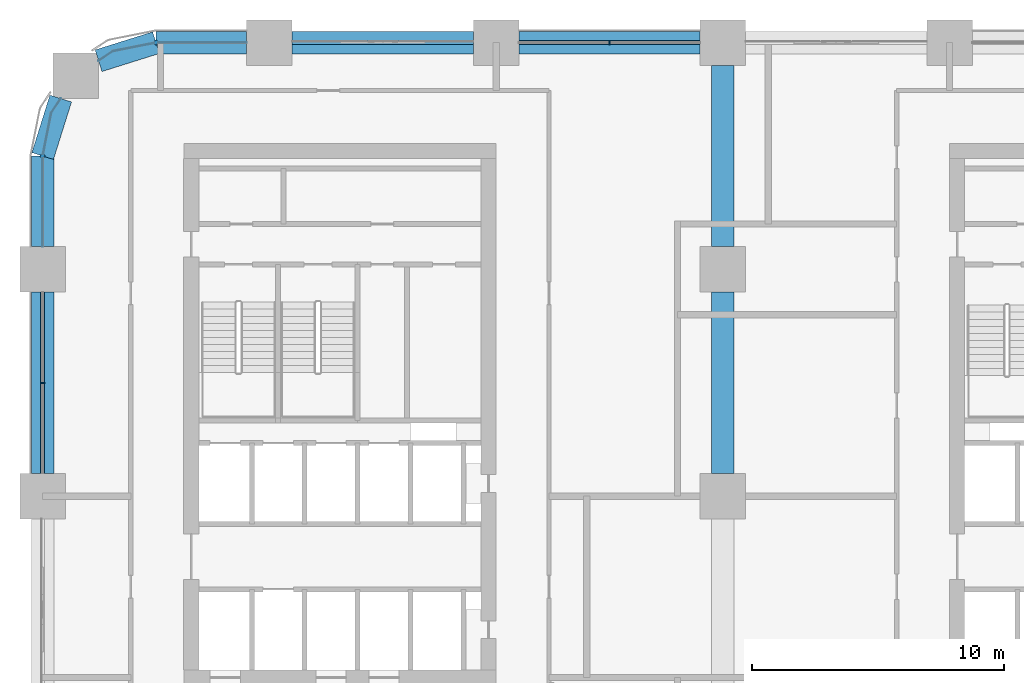
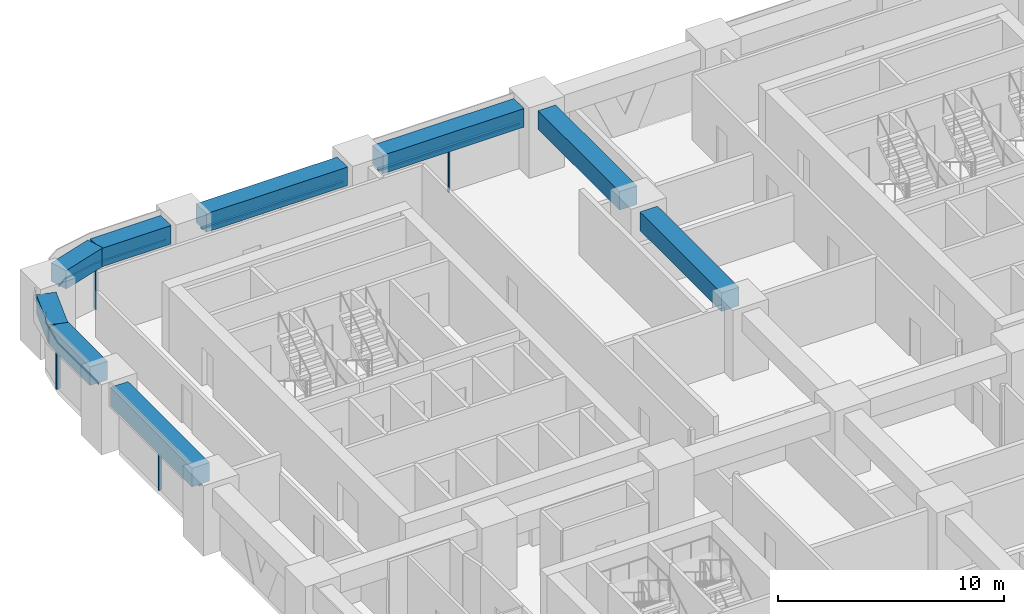
# One storey, part 8 of 21: 9 beams, 9 members, 5 elements without a shape of their own.
"""IFC4 building model written with IfcOpenShell, lengths in metres."""

import ifcopenshell
import ifcopenshell.guid

model = None  # the IFC model being written
_history = None  # IfcOwnerHistory: only IFC2X3 demands one
_inside = {}  # id of a spatial element -> (the spatial element, [elements in it])
_under = {}  # id of a project, library or spatial element -> (it, [spatial elements below it])
_declared = {}  # id of a project -> (the project, [libraries it declares])
_typed = {}  # id of a type object -> (the type object, [elements of that type])
_made_of = {}  # id of a material, layer set ... -> (it, [elements and type objects made of it])


def new_model(schema):
    """Start an empty IFC model of exactly this schema.

    Asked for "IFC4X3", IfcOpenShell would pick the latest addendum, in which some entities
    have other attributes; the version numbers below select the first issue.
    IFC2X3 requires an IfcOwnerHistory on every rooted entity: one is made here for all.
    """
    global model, _history
    if schema == "IFC4X3":
        model = ifcopenshell.file(schema_version=(4, 3, 0, 0))
    else:
        model = ifcopenshell.file(schema=schema)
    _inside.clear()
    _under.clear()
    _declared.clear()
    _typed.clear()
    _made_of.clear()
    _history = None
    if model.schema == "IFC2X3":
        org = make("IfcOrganization", Name="unknown")
        user = make(
            "IfcPersonAndOrganization",
            ThePerson=make("IfcPerson", FamilyName="unknown"),
            TheOrganization=org,
        )
        app = make(
            "IfcApplication",
            ApplicationDeveloper=org,
            Version="unknown",
            ApplicationFullName="unknown",
            ApplicationIdentifier="unknown",
        )
        _history = make(
            "IfcOwnerHistory",
            OwningUser=user,
            OwningApplication=app,
            ChangeAction="ADDED",
            CreationDate=0,
        )
    return model


def make(cls, **values):
    """One entity of the class cls with the attributes given. An attribute that is None is left unset."""
    return model.create_entity(
        cls, **{name: value for name, value in values.items() if value is not None}
    )


def rooted(cls, **values):
    """An entity with a GlobalId (a new one), such as an element, a storey or a relation."""
    return make(cls, GlobalId=ifcopenshell.guid.new(), OwnerHistory=_history, **values)


def si_unit(unit_type, name, prefix=None):
    """IfcSIUnit, for example si_unit("LENGTHUNIT", "METRE", prefix="MILLI")."""
    return make("IfcSIUnit", UnitType=unit_type, Prefix=prefix, Name=name)


def assignment(units):
    """IfcUnitAssignment: the units of a project."""
    return None if units is None else make("IfcUnitAssignment", Units=units)


def point(xyz):
    """IfcCartesianPoint."""
    return None if xyz is None else make("IfcCartesianPoint", Coordinates=xyz)


def direction(xyz):
    """IfcDirection."""
    return None if xyz is None else make("IfcDirection", DirectionRatios=xyz)


def frame(location, z_axis=None, x_axis=None):
    """IfcAxis2Placement3D, a coordinate frame: its origin and axes. An axis left out is left unset."""
    return make(
        "IfcAxis2Placement3D",
        Location=point(location),
        Axis=direction(z_axis),
        RefDirection=direction(x_axis),
    )


def frame_2d(location, x_axis=None):
    """IfcAxis2Placement2D, a coordinate frame in the plane: its origin and x axis."""
    return make(
        "IfcAxis2Placement2D", Location=point(location), RefDirection=direction(x_axis)
    )


def origin():
    """The frame at (0, 0, 0) with its axes left unset."""
    return frame((0.0, 0.0, 0.0))


def origin_2d():
    """The frame at (0, 0) in the plane with its x axis left unset."""
    return frame_2d((0.0, 0.0))


def place(relative_to, where):
    """IfcLocalPlacement: puts the frame where relative to a parent placement (None: the world)."""
    return make(
        "IfcLocalPlacement", PlacementRelTo=relative_to, RelativePlacement=where
    )


def context(
    kind, dimensions, precision=None, world=None, true_north=None, identifier=None
):
    """IfcGeometricRepresentationContext, for example the 3D "Model" context."""
    return make(
        "IfcGeometricRepresentationContext",
        ContextIdentifier=identifier,
        ContextType=kind,
        CoordinateSpaceDimension=dimensions,
        Precision=precision,
        WorldCoordinateSystem=world,
        TrueNorth=true_north,
    )


def subcontext(parent, identifier, kind, view, scale=None):
    """IfcGeometricRepresentationSubContext, for example "Body" below "Model"."""
    return make(
        "IfcGeometricRepresentationSubContext",
        ContextIdentifier=identifier,
        ContextType=kind,
        ParentContext=parent,
        TargetScale=scale,
        TargetView=view,
    )


def project(units=None, contexts=None):
    """IfcProject with its units and contexts."""
    return rooted(
        "IfcProject",
        Name="project",
        RepresentationContexts=contexts,
        UnitsInContext=assignment(units),
    )


def spatial(cls, under=None, at=None, **own):
    """A site, building, storey or space (cls), placed at a placement, below another one or the project."""
    s = rooted(cls, ObjectPlacement=at, **own)
    if under is not None:
        _under.setdefault(under.id(), (under, []))[1].append(s)
    return s


def polyline(points):
    """IfcPolyline through the points."""
    return make("IfcPolyline", Points=[point(p) for p in points])


def profile(cls, at=None, kind="AREA", **sizes):
    """A parametric profile (cls). Its sizes go by their IFC names, for example OverallWidth=200.0."""
    return make(cls, ProfileType=kind, Position=at, **sizes)


def rectangle(**sizes):
    """IfcRectangleProfileDef."""
    return profile("IfcRectangleProfileDef", **sizes)


def outline(outer, holes=None, kind="AREA"):
    """IfcArbitraryClosedProfileDef: a profile drawn as a closed curve; with holes, ...WithVoids."""
    if holes is None:
        return make("IfcArbitraryClosedProfileDef", ProfileType=kind, OuterCurve=outer)
    return make(
        "IfcArbitraryProfileDefWithVoids",
        ProfileType=kind,
        OuterCurve=outer,
        InnerCurves=holes,
    )


def extrude(swept, where, along, depth):
    """IfcExtrudedAreaSolid: the profile swept, set in the frame where, extruded along a direction by depth."""
    return make(
        "IfcExtrudedAreaSolid",
        SweptArea=swept,
        Position=where,
        ExtrudedDirection=direction(along),
        Depth=depth,
    )


def shape(context_of_items, identifier, shape_type, items):
    """IfcShapeRepresentation: the items that make up one representation, for example the "Body"."""
    return make(
        "IfcShapeRepresentation",
        ContextOfItems=context_of_items,
        RepresentationIdentifier=identifier,
        RepresentationType=shape_type,
        Items=items,
    )


def material(Name=None, Category=None):
    """IfcMaterial."""
    return make("IfcMaterial", Name=Name, Category=Category)


def material_profile(
    of_material, cross_section, Name=None, Category=None, Priority=None
):
    """IfcMaterialProfile: a cross section and its material."""
    return make(
        "IfcMaterialProfile",
        Name=Name,
        Material=of_material,
        Profile=cross_section,
        Priority=Priority,
        Category=Category,
    )


def profile_set(profiles, Name=None, composite=None):
    """IfcMaterialProfileSet."""
    return make(
        "IfcMaterialProfileSet",
        Name=Name,
        MaterialProfiles=profiles,
        CompositeProfile=composite,
    )


def made_of(thing, what):
    """Note that an element or type object is made of a material, layer set ...; save() writes the relation."""
    if what is not None:
        _made_of.setdefault(what.id(), (what, []))[1].append(thing)
    return thing


def type_object(cls, material=None, **own):
    """A type object (cls), such as IfcWallType, which elements share."""
    return made_of(rooted(cls, **own), material)


def element(
    cls,
    number,
    at=None,
    inside=None,
    cuts=None,
    type_object=None,
    material=None,
    context=None,
    identifier="Body",
    shape_type=None,
    held_by="IfcProductDefinitionShape",
    body=None,
    shapes=None,
    **own,
):
    """One element of the class cls, such as IfcWall. Its Tag is "e" and its number.

    at: its placement. inside: the storey or other place that contains it. cuts: it is an
    opening in that element (IfcRelVoidsElement). A single representation is given by context,
    identifier, shape_type and body (its items); several are given by shapes. held_by: the class
    of the entity that holds the representations. save() writes the other relations.
    """
    e = rooted(cls, Tag="e%d" % number, ObjectPlacement=at, **own)
    if body is not None:
        shapes = [shape(context, identifier, shape_type, body)]
    if shapes is not None:
        e.Representation = make(held_by, Representations=shapes)
    if inside is not None:
        _inside.setdefault(inside.id(), (inside, []))[1].append(e)
    if cuts is not None:
        rooted(
            "IfcRelVoidsElement", RelatingBuildingElement=cuts, RelatedOpeningElement=e
        )
    if type_object is not None:
        _typed.setdefault(type_object.id(), (type_object, []))[1].append(e)
    return made_of(e, material)


def aggregate(whole, parts):
    """IfcRelAggregates: a whole, such as a stair, and the parts it consists of."""
    return rooted("IfcRelAggregates", RelatingObject=whole, RelatedObjects=parts)


def save(model, path):
    """Write the relations noted so far, then the file.

    IfcRelAggregates (storeys below a building ...), IfcRelContainedInSpatialStructure (elements
    in a storey), IfcRelDefinesByType, IfcRelAssociatesMaterial and IfcRelDeclares: one each for
    every whole, place, type object, material and project.
    """
    for whole, parts in _under.values():
        aggregate(whole, parts)
    for where, things in _inside.values():
        rooted(
            "IfcRelContainedInSpatialStructure",
            RelatedElements=things,
            RelatingStructure=where,
        )
    for kind, things in _typed.values():
        rooted("IfcRelDefinesByType", RelatedObjects=things, RelatingType=kind)
    for what, things in _made_of.values():
        rooted("IfcRelAssociatesMaterial", RelatedObjects=things, RelatingMaterial=what)
    for by, libraries in _declared.values():
        rooted("IfcRelDeclares", RelatingContext=by, RelatedDefinitions=libraries)
    model.write(path)


model = new_model("IFC4")

# Units and contexts
model_context = context("Model", 3, precision=1e-05, world=origin(), true_north=direction((0.0, 1.0)))
body_context = subcontext(model_context, "Body", "Model", "MODEL_VIEW")
ifc_project = project(units=[si_unit("LENGTHUNIT", "METRE"), si_unit("AREAUNIT", "SQUARE_METRE"), si_unit("VOLUMEUNIT", "CUBIC_METRE"), si_unit("PLANEANGLEUNIT", "RADIAN"), si_unit("MASSUNIT", "GRAM", prefix="KILO")], contexts=[model_context])

# Site, building, storey
site_placement = place(None, origin())
site = spatial("IfcSite", under=ifc_project, at=site_placement, CompositionType="ELEMENT")
building_placement = place(site_placement, origin())
building = spatial("IfcBuilding", under=site, at=building_placement, Name="Tessera Arch", CompositionType="ELEMENT")
storey_placement = place(building_placement, frame((0.0, 0.0, 69.0)))
storey = spatial("IfcBuildingStorey", under=building, at=storey_placement, Name="L15", CompositionType="ELEMENT", Elevation=69.0)

# Curtain wall, member
ifc_material_1 = material(Name="CW1 curtain wall")
curtain_wall_type_1 = type_object("IfcCurtainWallType", Name="CW1 curtain wall", PredefinedType="NOTDEFINED", material=ifc_material_1)
curtain_wall_1_placement = place(storey_placement, origin())
curtain_wall_1 = element("IfcCurtainWall", 1, at=curtain_wall_1_placement, inside=storey, type_object=curtain_wall_type_1, Name="CW1 curtain wall N54.0/3 L15", PredefinedType="NOTDEFINED")
ifc_material_2 = material(Name="Anodised aluminium pale metal", Category="aluminium")
ifc_material_profile_1 = material_profile(ifc_material_2, rectangle(XDim=0.159912109375, YDim=0.06005859375, at=origin_2d()), Name="AL 60x160")
ifc_profile_set_1 = profile_set([ifc_material_profile_1], Name="Anodised aluminium pale metal")
member_type_1 = type_object("IfcMemberType", Name="CW1 mullion", PredefinedType="MULLION", material=ifc_profile_set_1)
member_1_placement = place(storey_placement, frame((22.5, 54.0, 0.0), z_axis=(0.0, 0.0, 1.0), x_axis=(0.0, -1.0, 0.0)))
member_1 = element("IfcMember", 2, at=member_1_placement, type_object=member_type_1, Name="CW1 mullion N54.0/3 1", PredefinedType="MULLION", context=body_context, shape_type="SweptSolid", body=[
    extrude(rectangle(XDim=0.159912109375, YDim=0.06005859375, at=origin_2d()), origin(), (0.0, 0.0, 1.0), 2.39990234375),
])

curtain_wall_2_placement = place(storey_placement, origin())
curtain_wall_2 = element("IfcCurtainWall", 3, at=curtain_wall_2_placement, inside=storey, type_object=curtain_wall_type_1, Name="CW1 curtain wall W0.0/1 L15", PredefinedType="NOTDEFINED")
member_2_placement = place(storey_placement, frame((0.0, 40.5, 0.0), z_axis=(0.0, 0.0, 1.0), x_axis=(1.0, 0.0, 0.0)))
member_2 = element("IfcMember", 4, at=member_2_placement, type_object=member_type_1, Name="CW1 mullion W0.0/1 1", PredefinedType="MULLION", context=body_context, shape_type="SweptSolid", body=[
    extrude(rectangle(XDim=0.159912109375, YDim=0.06005859375, at=origin_2d()), origin(), (0.0, 0.0, 1.0), 2.39990234375),
])

# Member
ifc_material_3 = material(Name="Anodised aluminium pale metal", Category="aluminium")
ifc_material_profile_2 = material_profile(ifc_material_3, rectangle(XDim=0.159912109375, YDim=0.10009765625, at=origin_2d()), Name="AL 160x100")
ifc_profile_set_2 = profile_set([ifc_material_profile_2], Name="Anodised aluminium pale metal")
member_type_2 = type_object("IfcMemberType", Name="CW1 transom", PredefinedType="USERDEFINED", material=ifc_profile_set_2)
member_3_placement = place(storey_placement, frame((26.10009765625, 54.0, 2.449951171875), z_axis=(-1.0, 0.0, 0.0), x_axis=(0.0, -1.0, 0.0)))
member_3 = element("IfcMember", 5, at=member_3_placement, type_object=member_type_2, Name="CW1 transom N54.0/3 1.1", ObjectType="TRANSOM", PredefinedType="USERDEFINED", context=body_context, shape_type="SweptSolid", body=[
    extrude(rectangle(XDim=0.159912109375, YDim=0.10009765625, at=origin_2d()), origin(), (0.0, 0.0, 1.0), 7.2001953125),
])

aggregate(curtain_wall_1, [member_1, member_3])

member_4_placement = place(storey_placement, frame((0.0, 44.10009765625, 2.449951171875), z_axis=(0.0, -1.0, 0.0), x_axis=(1.0, 0.0, 0.0)))
member_4 = element("IfcMember", 6, at=member_4_placement, type_object=member_type_2, Name="CW1 transom W0.0/1 1.1", ObjectType="TRANSOM", PredefinedType="USERDEFINED", context=body_context, shape_type="SweptSolid", body=[
    extrude(rectangle(XDim=0.159912109375, YDim=0.10009765625, at=origin_2d()), origin(), (0.0, 0.0, 1.0), 7.2001953125),
])

aggregate(curtain_wall_2, [member_2, member_4])

# Curtain wall, member
ifc_material_4 = material(Name="CW2 curtain wall")
curtain_wall_type_2 = type_object("IfcCurtainWallType", Name="CW2 curtain wall", PredefinedType="NOTDEFINED", material=ifc_material_4)
curtain_wall_3_placement = place(storey_placement, origin())
curtain_wall_3 = element("IfcCurtainWall", 7, at=curtain_wall_3_placement, inside=storey, type_object=curtain_wall_type_2, Name="CW2 curtain wall N54.0/5 L15", PredefinedType="NOTDEFINED")
ifc_material_5 = material(Name="Anodised aluminium pale metal", Category="aluminium")
ifc_material_profile_3 = material_profile(ifc_material_5, rectangle(XDim=0.199951171875, YDim=0.080078125, at=origin_2d()), Name="AL 80x200")
ifc_profile_set_3 = profile_set([ifc_material_profile_3], Name="Anodised aluminium pale metal")
member_type_3 = type_object("IfcMemberType", Name="CW2 mullion", PredefinedType="MULLION", material=ifc_profile_set_3)
member_5_placement = place(storey_placement, frame((4.5, 54.0, 0.0), z_axis=(0.0, 0.0, 1.0), x_axis=(0.0, -1.0, 0.0)))
member_5 = element("IfcMember", 8, at=member_5_placement, type_object=member_type_3, Name="CW2 mullion N54.0/5 1", PredefinedType="MULLION", context=body_context, shape_type="SweptSolid", body=[
    extrude(rectangle(XDim=0.199951171875, YDim=0.080078125, at=origin_2d()), origin(), (0.0, 0.0, 1.0), 2.39990234375),
])

curtain_wall_4_placement = place(storey_placement, origin())
curtain_wall_4 = element("IfcCurtainWall", 9, at=curtain_wall_4_placement, inside=storey, type_object=curtain_wall_type_2, Name="CW2 curtain wall W0.0/0 L15", PredefinedType="NOTDEFINED")
member_6_placement = place(storey_placement, frame((0.0, 49.5, 0.0), z_axis=(0.0, 0.0, 1.0), x_axis=(1.0, 0.0, 0.0)))
member_6 = element("IfcMember", 10, at=member_6_placement, type_object=member_type_3, Name="CW2 mullion W0.0/0 1", PredefinedType="MULLION", context=body_context, shape_type="SweptSolid", body=[
    extrude(rectangle(XDim=0.199951171875, YDim=0.080078125, at=origin_2d()), origin(), (0.0, 0.0, 1.0), 2.39990234375),
])

# Member
ifc_material_6 = material(Name="Anodised aluminium pale metal", Category="aluminium")
ifc_material_profile_4 = material_profile(ifc_material_6, rectangle(XDim=0.199951171875, YDim=0.10009765625, at=origin_2d()), Name="AL 200x100")
ifc_profile_set_4 = profile_set([ifc_material_profile_4], Name="Anodised aluminium pale metal")
member_type_4 = type_object("IfcMemberType", Name="CW2 transom", PredefinedType="USERDEFINED", material=ifc_profile_set_4)
member_7_placement = place(storey_placement, frame((0.0, 0.0, 2.39990234375)))
member_7 = element("IfcMember", 11, at=member_7_placement, type_object=member_type_4, Name="CW2 transom N54.0/5 1", ObjectType="TRANSOM", PredefinedType="USERDEFINED", context=body_context, shape_type="SweptSolid", body=[
    extrude(outline(polyline([(4.5009765625, 53.989990234375), (8.10009765625, 53.989990234375), (8.10009765625, 54.010009765625), (4.4990234375, 54.010009765625), (2.77392578125, 53.6669921875), (2.21240234375, 53.29150390625), (2.2236328125, 53.27490234375), (2.78173828125, 53.648193359375), (4.5009765625, 53.989990234375)])), origin(), (0.0, 0.0, 1.0), 0.10009765625),
])

aggregate(curtain_wall_3, [member_5, member_7])

member_8_placement = place(storey_placement, frame((0.0, 0.0, 2.39990234375)))
member_8 = element("IfcMember", 12, at=member_8_placement, type_object=member_type_4, Name="CW2 transom W0.0/0 1", ObjectType="TRANSOM", PredefinedType="USERDEFINED", context=body_context, shape_type="SweptSolid", body=[
    extrude(outline(polyline([(0.351806640625, 51.21826171875), (0.72509765625, 51.7763671875), (0.70849609375, 51.78759765625), (0.3330078125, 51.22607421875), (-0.010009765625, 49.5009765625), (-0.010009765625, 45.89990234375), (0.010009765625, 45.89990234375), (0.010009765625, 49.4990234375), (0.351806640625, 51.21826171875)])), origin(), (0.0, 0.0, 1.0), 0.10009765625),
])

aggregate(curtain_wall_4, [member_6, member_8])

# Curtain wall, member
ifc_material_7 = material(Name="CW3 curtain wall")
curtain_wall_type_3 = type_object("IfcCurtainWallType", Name="CW3 curtain wall", PredefinedType="NOTDEFINED", material=ifc_material_7)
curtain_wall_5_placement = place(storey_placement, origin())
curtain_wall_5 = element("IfcCurtainWall", 13, at=curtain_wall_5_placement, inside=storey, type_object=curtain_wall_type_3, Name="CW3 curtain wall N54.0/4 L15", PredefinedType="NOTDEFINED")
ifc_material_8 = material(Name="Anodised aluminium pale metal", Category="aluminium")
ifc_material_profile_5 = material_profile(ifc_material_8, rectangle(XDim=0.139892578125, YDim=0.10009765625, at=origin_2d()), Name="AL 140x100")
ifc_profile_set_5 = profile_set([ifc_material_profile_5], Name="Anodised aluminium pale metal")
member_type_5 = type_object("IfcMemberType", Name="CW3 transom", PredefinedType="USERDEFINED", material=ifc_profile_set_5)
member_9_placement = place(storey_placement, frame((17.10009765625, 54.0, 2.449951171875), z_axis=(-1.0, 0.0, 0.0), x_axis=(0.0, -1.0, 0.0)))
member_9 = element("IfcMember", 14, at=member_9_placement, type_object=member_type_5, Name="CW3 transom N54.0/4 1.1", ObjectType="TRANSOM", PredefinedType="USERDEFINED", context=body_context, shape_type="SweptSolid", body=[
    extrude(rectangle(XDim=0.139892578125, YDim=0.10009765625, at=origin_2d()), origin(), (0.0, 0.0, 1.0), 7.2001953125),
])
aggregate(curtain_wall_5, [member_9])

# Beams
ifc_material_9 = material(Name="Concrete C80/95", Category="concrete")
ifc_material_profile_6 = material_profile(ifc_material_9, rectangle(XDim=0.89990234375, YDim=1.0, at=origin_2d()), Name="RC spandrel beam 900 x 1000 Concrete C80/95")
ifc_profile_set_6 = profile_set([ifc_material_profile_6], Name="Concrete C80/95")
beam_type = type_object("IfcBeamType", Name="RC spandrel beam 900 x 1000 Concrete C80/95", PredefinedType="BEAM", material=ifc_profile_set_6)
for number, where, z_axis, x_axis, name in (
    (15, (26.10009765625, 54.0, 3.0), (-1.0, 0.0, 0.0), (0.0, -1.0, 0.0), "Spandrel beam L15 N54.0/3"),
    (16, (17.10009765625, 54.0, 3.0), (-1.0, 0.0, 0.0), (0.0, -1.0, 0.0), "Spandrel beam L15 N54.0/4"),
):
    element("IfcBeam", number, at=place(storey_placement, frame(where, z_axis=z_axis, x_axis=x_axis)), inside=storey, type_object=beam_type, Name=name, PredefinedType="BEAM", context=body_context, shape_type="SweptSolid", body=[
        extrude(rectangle(XDim=0.89990234375, YDim=1.0, at=origin_2d()), origin(), (0.0, 0.0, 1.0), 7.2001953125),
    ])
beam_1_placement = place(storey_placement, frame((8.10009765625, 54.0, 3.0), z_axis=(-1.0, 0.0, 0.0), x_axis=(0.0, -1.0, 0.0)))
element("IfcBeam", 17, at=beam_1_placement, inside=storey, type_object=beam_type, Name="Spandrel beam L15 N54.0/5.1", PredefinedType="BEAM", context=body_context, shape_type="SweptSolid", body=[
    extrude(rectangle(XDim=0.89990234375, YDim=1.0, at=origin_2d()), origin(), (0.0, 0.0, 1.0), 3.60009765625),
])
for number, where, z_axis, x_axis, name in (
    (18, (4.5, 54.0, 3.0), (-0.954041251279, -0.299675309057, 0.0), (0.299675309057, -0.954041251279, 0.0), "Spandrel beam L15 N54.0/5.2"),
    (19, (0.716796875, 51.781982421875, 3.0), (-0.299675309057, -0.954041251279, 0.0), (0.954041251279, -0.299675309057, 0.0), "Spandrel beam L15 W0.0/0.1"),
):
    element("IfcBeam", number, at=place(storey_placement, frame(where, z_axis=z_axis, x_axis=x_axis)), inside=storey, type_object=beam_type, Name=name, PredefinedType="BEAM", context=body_context, shape_type="SweptSolid", body=[
        extrude(rectangle(XDim=0.89990234375, YDim=1.0, at=origin_2d()), origin(), (0.0, 0.0, 1.0), 2.391845703125),
    ])
beam_2_placement = place(storey_placement, frame((0.0, 49.5, 3.0), z_axis=(0.0, -1.0, 0.0), x_axis=(1.0, 0.0, 0.0)))
element("IfcBeam", 20, at=beam_2_placement, inside=storey, type_object=beam_type, Name="Spandrel beam L15 W0.0/0.2", PredefinedType="BEAM", context=body_context, shape_type="SweptSolid", body=[
    extrude(rectangle(XDim=0.89990234375, YDim=1.0, at=origin_2d()), origin(), (0.0, 0.0, 1.0), 3.60009765625),
])
for number, where, z_axis, x_axis, name in (
    (21, (0.0, 44.10009765625, 3.0), (0.0, -1.0, 0.0), (1.0, 0.0, 0.0), "Spandrel beam L15 W0.0/1"),
    (22, (27.0, 36.89990234375, 3.0), (0.0, 1.0, 0.0), (-1.0, 0.0, 0.0), "Interface beam L15 I0C4E-C4F"),
    (23, (27.0, 45.89990234375, 3.0), (0.0, 1.0, 0.0), (-1.0, 0.0, 0.0), "Interface beam L15 I0C4F-C4G"),
):
    element("IfcBeam", number, at=place(storey_placement, frame(where, z_axis=z_axis, x_axis=x_axis)), inside=storey, type_object=beam_type, Name=name, PredefinedType="BEAM", context=body_context, shape_type="SweptSolid", body=[
        extrude(rectangle(XDim=0.89990234375, YDim=1.0, at=origin_2d()), origin(), (0.0, 0.0, 1.0), 7.2001953125),
    ])

save(model, "model.ifc")
